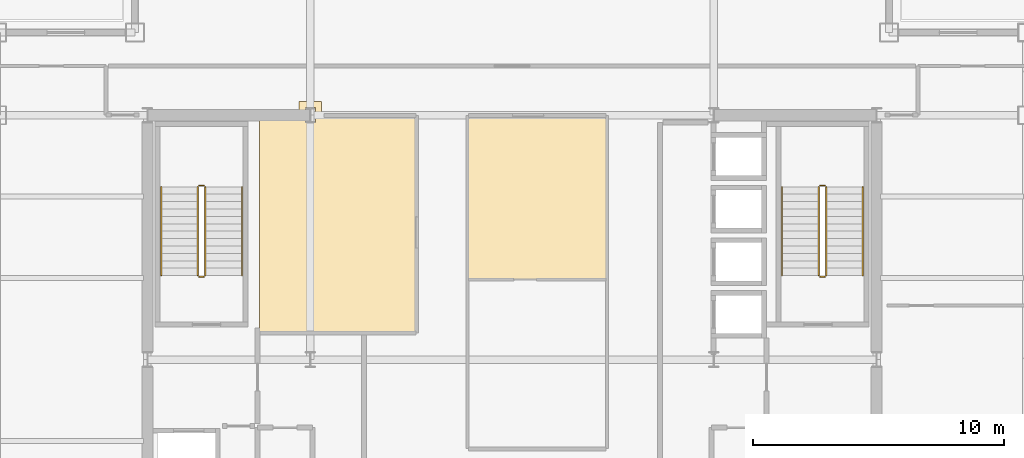
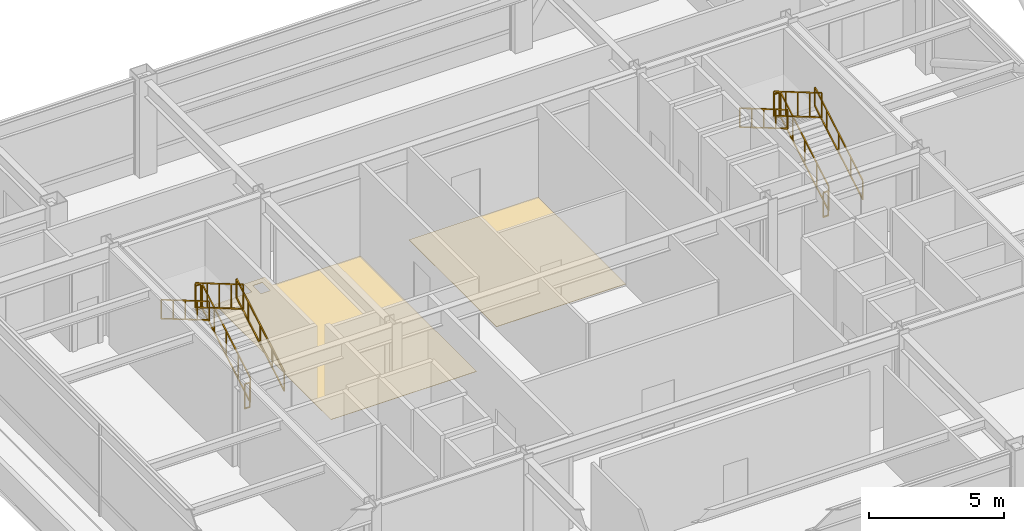
# One storey, part 24 of 24: 12 railings, 2 coverings.
"""IFC4 building model written with IfcOpenShell, lengths in metres."""

from ifc_helpers import new_model, si_unit, direction, frame, origin, origin_2d, place, context, subcontext, project, spatial, polyline, rectangle, outline, extrude, material, layer, layer_set, type_object, element, save


model = new_model("IFC4")

# Units and contexts
model_context = context("Model", 3, precision=1e-05, world=origin(), true_north=direction((0.0, 1.0)))
body_context = subcontext(model_context, "Body", "Model", "MODEL_VIEW")
ifc_project = project(units=[si_unit("LENGTHUNIT", "METRE"), si_unit("AREAUNIT", "SQUARE_METRE"), si_unit("VOLUMEUNIT", "CUBIC_METRE"), si_unit("PLANEANGLEUNIT", "RADIAN"), si_unit("MASSUNIT", "GRAM", prefix="KILO")], contexts=[model_context])

# Site, building, storey
site_placement = place(None, origin())
site = spatial("IfcSite", under=ifc_project, at=site_placement, CompositionType="ELEMENT")
building_placement = place(site_placement, origin())
building = spatial("IfcBuilding", under=site, at=building_placement, Name="Brelmoor Portico Tower", CompositionType="ELEMENT")
storey_placement = place(building_placement, frame((0.0, 0.0, 150.60009765625)))
storey = spatial("IfcBuildingStorey", under=building, at=storey_placement, Name="L39", CompositionType="ELEMENT", Elevation=150.60009765625)

# Coverings
ifc_material_1 = material(Name="Solution-Dyed Nylon Acoustic Carpet Tile", Category="textile")
ifc_layer_1 = layer(ifc_material_1, 0.013916015625)
ifc_layer_set_1 = layer_set([ifc_layer_1], Name="Solution-Dyed Nylon Acoustic Carpet Tile")
covering_type_1 = type_object("IfcCoveringType", Name="CV-FLR-CARPET-14", PredefinedType="FLOORING", material=ifc_layer_set_1)
covering_1_placement = place(storey_placement, origin())
element("IfcCovering", 1, at=covering_1_placement, inside=storey, type_object=covering_type_1, Name="L39 Architectural Floor Finish 01", PredefinedType="FLOORING", context=body_context, shape_type="SweptSolid", body=[
    extrude(outline(polyline([(-10.080078125, 9.719970703125), (-8.5, 9.719970703125), (-8.5, 10.300048828125), (-7.60009765625, 10.300048828125), (-7.60009765625, 9.719970703125), (-3.840087890625, 9.719970703125), (-3.840087890625, 1.090087890625), (-10.080078125, 1.090087890625), (-10.080078125, 9.719970703125)]), holes=[polyline([(-7.85009765625, 9.449951171875), (-7.85009765625, 10.050048828125), (-8.25, 10.050048828125), (-8.25, 9.449951171875), (-7.85009765625, 9.449951171875)])]), origin(), (0.0, 0.0, 1.0), 0.013916015625),
])
ifc_material_2 = material(Name="Rectified Vitrified Porcelain Floor Tile", Category="ceramic")
ifc_layer_2 = layer(ifc_material_2, 0.01806640625)
ifc_layer_set_2 = layer_set([ifc_layer_2], Name="Rectified Vitrified Porcelain Floor Tile")
covering_type_2 = type_object("IfcCoveringType", Name="CV-FLR-PORCELAIN-18", PredefinedType="FLOORING", material=ifc_layer_set_2)
covering_2_placement = place(storey_placement, origin())
element("IfcCovering", 2, at=covering_2_placement, inside=storey, type_object=covering_type_2, Name="L39 Architectural Floor Finish 02", PredefinedType="FLOORING", context=body_context, shape_type="SweptSolid", body=[
    extrude(outline(polyline([(-1.760009765625, 3.219970703125), (-1.760009765625, 9.719970703125), (3.780029296875, 9.719970703125), (3.780029296875, 3.219970703125), (-1.760009765625, 3.219970703125)])), origin(), (0.0, 0.0, 1.0), 0.017822265625),
])

# Railings
ifc_material_3 = material(Name="Painted Tubular Steel Q235B", Category="steel")
railing_type_1 = type_object("IfcRailingType", Name="RL-STAIR-GUARD", PredefinedType="GUARDRAIL", material=ifc_material_3)
railing_1_placement = place(storey_placement, frame((-12.239990234375, 3.35009765625, 0.173095703125)))
element("IfcRailing", 3, at=railing_1_placement, inside=storey, type_object=railing_type_1, Name="L39 ST-W stair guard 1", PredefinedType="GUARDRAIL", context=body_context, shape_type="SweptSolid", body=[
    extrude(rectangle(XDim=0.048095703125, YDim=0.048095703125, at=origin_2d()), frame((0.0, 0.0, 1.1259765625), z_axis=(0.0, 0.862501018769, 0.506055325654), x_axis=(-1.0, 0.0, 0.0)), (0.0, 0.0, 1.0), 4.10400390625),
    extrude(rectangle(XDim=0.048095703125, YDim=0.048095703125, at=origin_2d()), frame((0.0, 0.0, 0.02392578125), z_axis=(0.0, 0.862501018769, 0.506055325654), x_axis=(-1.0, 0.0, 0.0)), (0.0, 0.0, 1.0), 4.10400390625),
    extrude(rectangle(XDim=0.0419921875, YDim=0.0419921875, at=origin_2d()), origin(), (0.0, 0.0, 1.0), 1.101806640625),
    extrude(rectangle(XDim=0.0419921875, YDim=0.0419921875, at=origin_2d()), frame((0.0, 0.885009765625, 0.519287109375)), (0.0, 0.0, 1.0), 1.101806640625),
    extrude(rectangle(XDim=0.0419921875, YDim=0.0419921875, at=origin_2d()), frame((0.0, 1.77001953125, 1.03857421875)), (0.0, 0.0, 1.0), 1.101806640625),
    extrude(rectangle(XDim=0.0419921875, YDim=0.0419921875, at=origin_2d()), frame((0.0, 2.65478515625, 1.5576171875)), (0.0, 0.0, 1.0), 1.101806640625),
    extrude(rectangle(XDim=0.0419921875, YDim=0.0419921875, at=origin_2d()), frame((0.0, 3.539794921875, 2.076904296875)), (0.0, 0.0, 1.0), 1.101806640625),
])
railing_2_placement = place(storey_placement, frame((-12.2900390625, 6.93994140625, 2.25)))
element("IfcRailing", 4, at=railing_2_placement, inside=storey, type_object=railing_type_1, Name="L39 ST-W stair guard 2", PredefinedType="GUARDRAIL", context=body_context, shape_type="SweptSolid", body=[
    extrude(rectangle(XDim=0.048095703125, YDim=0.048095703125, at=origin_2d()), frame((0.0, 0.0, 1.1259765625), z_axis=(-1.0, 0.0, 0.0), x_axis=(0.0, -1.0, 0.0)), (0.0, 0.0, 1.0), 0.199951171875),
    extrude(rectangle(XDim=0.048095703125, YDim=0.048095703125, at=origin_2d()), frame((0.0, 0.0, 0.02392578125), z_axis=(-1.0, 0.0, 0.0), x_axis=(0.0, -1.0, 0.0)), (0.0, 0.0, 1.0), 0.199951171875),
    extrude(rectangle(XDim=0.0419921875, YDim=0.0419921875, at=origin_2d()), origin(), (0.0, 0.0, 1.0), 1.101806640625),
    extrude(rectangle(XDim=0.0419921875, YDim=0.0419921875, at=origin_2d()), frame((-0.199951171875, 0.0, 0.0)), (0.0, 0.0, 1.0), 1.101806640625),
])
railing_3_placement = place(storey_placement, frame((-12.5400390625, 6.889892578125, 2.423095703125)))
element("IfcRailing", 5, at=railing_3_placement, inside=storey, type_object=railing_type_1, Name="L39 ST-W stair guard 3", PredefinedType="GUARDRAIL", context=body_context, shape_type="SweptSolid", body=[
    extrude(rectangle(XDim=0.048095703125, YDim=0.048095703125, at=origin_2d()), frame((0.0, 0.0, 1.1259765625), z_axis=(0.0, -0.862501018769, 0.506055325654), x_axis=(1.0, 0.0, 0.0)), (0.0, 0.0, 1.0), 4.10400390625),
    extrude(rectangle(XDim=0.048095703125, YDim=0.048095703125, at=origin_2d()), frame((0.0, 0.0, 0.02392578125), z_axis=(0.0, -0.862501018769, 0.506055325654), x_axis=(1.0, 0.0, 0.0)), (0.0, 0.0, 1.0), 4.10400390625),
    extrude(rectangle(XDim=0.0419921875, YDim=0.0419921875, at=origin_2d()), origin(), (0.0, 0.0, 1.0), 1.101806640625),
    extrude(rectangle(XDim=0.0419921875, YDim=0.0419921875, at=origin_2d()), frame((0.0, -0.885009765625, 0.519287109375)), (0.0, 0.0, 1.0), 1.101806640625),
    extrude(rectangle(XDim=0.0419921875, YDim=0.0419921875, at=origin_2d()), frame((0.0, -1.77001953125, 1.03857421875)), (0.0, 0.0, 1.0), 1.101806640625),
    extrude(rectangle(XDim=0.0419921875, YDim=0.0419921875, at=origin_2d()), frame((0.0, -2.65478515625, 1.5576171875)), (0.0, 0.0, 1.0), 1.101806640625),
    extrude(rectangle(XDim=0.0419921875, YDim=0.0419921875, at=origin_2d()), frame((0.0, -3.539794921875, 2.076904296875)), (0.0, 0.0, 1.0), 1.101806640625),
])
railing_4_placement = place(storey_placement, frame((-12.2900390625, 3.300048828125, 0.0)))
element("IfcRailing", 6, at=railing_4_placement, inside=storey, type_object=railing_type_1, Name="L39 ST-W stair guard 4", PredefinedType="GUARDRAIL", context=body_context, shape_type="SweptSolid", body=[
    extrude(rectangle(XDim=0.048095703125, YDim=0.048095703125, at=origin_2d()), frame((0.0, 0.0, 1.1259765625), z_axis=(-1.0, 0.0, 0.0), x_axis=(0.0, -1.0, 0.0)), (0.0, 0.0, 1.0), 0.199951171875),
    extrude(rectangle(XDim=0.048095703125, YDim=0.048095703125, at=origin_2d()), frame((0.0, 0.0, 0.02392578125), z_axis=(-1.0, 0.0, 0.0), x_axis=(0.0, -1.0, 0.0)), (0.0, 0.0, 1.0), 0.199951171875),
    extrude(rectangle(XDim=0.0419921875, YDim=0.0419921875, at=origin_2d()), origin(), (0.0, 0.0, 1.0), 1.101806640625),
    extrude(rectangle(XDim=0.0419921875, YDim=0.0419921875, at=origin_2d()), frame((-0.199951171875, 0.0, 0.0)), (0.0, 0.0, 1.0), 1.101806640625),
])
railing_5_placement = place(storey_placement, frame((12.5400390625, 3.35009765625, 0.173095703125)))
element("IfcRailing", 7, at=railing_5_placement, inside=storey, type_object=railing_type_1, Name="L39 ST-E stair guard 1", PredefinedType="GUARDRAIL", context=body_context, shape_type="SweptSolid", body=[
    extrude(rectangle(XDim=0.048095703125, YDim=0.048095703125, at=origin_2d()), frame((0.0, 0.0, 1.1259765625), z_axis=(0.0, 0.862501018769, 0.506055325654), x_axis=(-1.0, 0.0, 0.0)), (0.0, 0.0, 1.0), 4.10400390625),
    extrude(rectangle(XDim=0.048095703125, YDim=0.048095703125, at=origin_2d()), frame((0.0, 0.0, 0.02392578125), z_axis=(0.0, 0.862501018769, 0.506055325654), x_axis=(-1.0, 0.0, 0.0)), (0.0, 0.0, 1.0), 4.10400390625),
    extrude(rectangle(XDim=0.0419921875, YDim=0.0419921875, at=origin_2d()), origin(), (0.0, 0.0, 1.0), 1.101806640625),
    extrude(rectangle(XDim=0.0419921875, YDim=0.0419921875, at=origin_2d()), frame((0.0, 0.885009765625, 0.519287109375)), (0.0, 0.0, 1.0), 1.101806640625),
    extrude(rectangle(XDim=0.0419921875, YDim=0.0419921875, at=origin_2d()), frame((0.0, 1.77001953125, 1.03857421875)), (0.0, 0.0, 1.0), 1.101806640625),
    extrude(rectangle(XDim=0.0419921875, YDim=0.0419921875, at=origin_2d()), frame((0.0, 2.65478515625, 1.5576171875)), (0.0, 0.0, 1.0), 1.101806640625),
    extrude(rectangle(XDim=0.0419921875, YDim=0.0419921875, at=origin_2d()), frame((0.0, 3.539794921875, 2.076904296875)), (0.0, 0.0, 1.0), 1.101806640625),
])
railing_6_placement = place(storey_placement, frame((12.489990234375, 6.93994140625, 2.25)))
element("IfcRailing", 8, at=railing_6_placement, inside=storey, type_object=railing_type_1, Name="L39 ST-E stair guard 2", PredefinedType="GUARDRAIL", context=body_context, shape_type="SweptSolid", body=[
    extrude(rectangle(XDim=0.048095703125, YDim=0.048095703125, at=origin_2d()), frame((0.0, 0.0, 1.1259765625), z_axis=(-1.0, 0.0, 0.0), x_axis=(0.0, -1.0, 0.0)), (0.0, 0.0, 1.0), 0.199951171875),
    extrude(rectangle(XDim=0.048095703125, YDim=0.048095703125, at=origin_2d()), frame((0.0, 0.0, 0.02392578125), z_axis=(-1.0, 0.0, 0.0), x_axis=(0.0, -1.0, 0.0)), (0.0, 0.0, 1.0), 0.199951171875),
    extrude(rectangle(XDim=0.0419921875, YDim=0.0419921875, at=origin_2d()), origin(), (0.0, 0.0, 1.0), 1.101806640625),
    extrude(rectangle(XDim=0.0419921875, YDim=0.0419921875, at=origin_2d()), frame((-0.199951171875, 0.0, 0.0)), (0.0, 0.0, 1.0), 1.101806640625),
])
railing_7_placement = place(storey_placement, frame((12.239990234375, 6.889892578125, 2.423095703125)))
element("IfcRailing", 9, at=railing_7_placement, inside=storey, type_object=railing_type_1, Name="L39 ST-E stair guard 3", PredefinedType="GUARDRAIL", context=body_context, shape_type="SweptSolid", body=[
    extrude(rectangle(XDim=0.048095703125, YDim=0.048095703125, at=origin_2d()), frame((0.0, 0.0, 1.1259765625), z_axis=(0.0, -0.862501018769, 0.506055325654), x_axis=(1.0, 0.0, 0.0)), (0.0, 0.0, 1.0), 4.10400390625),
    extrude(rectangle(XDim=0.048095703125, YDim=0.048095703125, at=origin_2d()), frame((0.0, 0.0, 0.02392578125), z_axis=(0.0, -0.862501018769, 0.506055325654), x_axis=(1.0, 0.0, 0.0)), (0.0, 0.0, 1.0), 4.10400390625),
    extrude(rectangle(XDim=0.0419921875, YDim=0.0419921875, at=origin_2d()), origin(), (0.0, 0.0, 1.0), 1.101806640625),
    extrude(rectangle(XDim=0.0419921875, YDim=0.0419921875, at=origin_2d()), frame((0.0, -0.885009765625, 0.519287109375)), (0.0, 0.0, 1.0), 1.101806640625),
    extrude(rectangle(XDim=0.0419921875, YDim=0.0419921875, at=origin_2d()), frame((0.0, -1.77001953125, 1.03857421875)), (0.0, 0.0, 1.0), 1.101806640625),
    extrude(rectangle(XDim=0.0419921875, YDim=0.0419921875, at=origin_2d()), frame((0.0, -2.65478515625, 1.5576171875)), (0.0, 0.0, 1.0), 1.101806640625),
    extrude(rectangle(XDim=0.0419921875, YDim=0.0419921875, at=origin_2d()), frame((0.0, -3.539794921875, 2.076904296875)), (0.0, 0.0, 1.0), 1.101806640625),
])
railing_8_placement = place(storey_placement, frame((12.489990234375, 3.300048828125, 0.0)))
element("IfcRailing", 10, at=railing_8_placement, inside=storey, type_object=railing_type_1, Name="L39 ST-E stair guard 4", PredefinedType="GUARDRAIL", context=body_context, shape_type="SweptSolid", body=[
    extrude(rectangle(XDim=0.048095703125, YDim=0.048095703125, at=origin_2d()), frame((0.0, 0.0, 1.1259765625), z_axis=(-1.0, 0.0, 0.0), x_axis=(0.0, -1.0, 0.0)), (0.0, 0.0, 1.0), 0.199951171875),
    extrude(rectangle(XDim=0.048095703125, YDim=0.048095703125, at=origin_2d()), frame((0.0, 0.0, 0.02392578125), z_axis=(-1.0, 0.0, 0.0), x_axis=(0.0, -1.0, 0.0)), (0.0, 0.0, 1.0), 0.199951171875),
    extrude(rectangle(XDim=0.0419921875, YDim=0.0419921875, at=origin_2d()), origin(), (0.0, 0.0, 1.0), 1.101806640625),
    extrude(rectangle(XDim=0.0419921875, YDim=0.0419921875, at=origin_2d()), frame((-0.199951171875, 0.0, 0.0)), (0.0, 0.0, 1.0), 1.101806640625),
])
ifc_material_4 = material(Name="Brushed Stainless Steel 304", Category="steel")
railing_type_2 = type_object("IfcRailingType", Name="RL-STAIR-HANDRAIL", PredefinedType="HANDRAIL", material=ifc_material_4)
railing_9_placement = place(storey_placement, frame((-10.780029296875, 3.35009765625, 0.173095703125)))
element("IfcRailing", 11, at=railing_9_placement, inside=storey, type_object=railing_type_2, Name="L39 ST-W stair handrail 1", PredefinedType="HANDRAIL", context=body_context, shape_type="SweptSolid", body=[
    extrude(rectangle(XDim=0.048095703125, YDim=0.048095703125, at=origin_2d()), frame((0.0, 0.0, 0.8759765625), z_axis=(0.0, 0.862501018769, 0.506055325654), x_axis=(-1.0, 0.0, 0.0)), (0.0, 0.0, 1.0), 4.10400390625),
    extrude(rectangle(XDim=0.048095703125, YDim=0.048095703125, at=origin_2d()), frame((0.0, 0.0, 0.02392578125), z_axis=(0.0, 0.862501018769, 0.506055325654), x_axis=(-1.0, 0.0, 0.0)), (0.0, 0.0, 1.0), 4.10400390625),
    extrude(rectangle(XDim=0.0419921875, YDim=0.0419921875, at=origin_2d()), origin(), (0.0, 0.0, 1.0), 0.851806640625),
    extrude(rectangle(XDim=0.0419921875, YDim=0.0419921875, at=origin_2d()), frame((0.0, 0.885009765625, 0.519287109375)), (0.0, 0.0, 1.0), 0.851806640625),
    extrude(rectangle(XDim=0.0419921875, YDim=0.0419921875, at=origin_2d()), frame((0.0, 1.77001953125, 1.03857421875)), (0.0, 0.0, 1.0), 0.851806640625),
    extrude(rectangle(XDim=0.0419921875, YDim=0.0419921875, at=origin_2d()), frame((0.0, 2.65478515625, 1.5576171875)), (0.0, 0.0, 1.0), 0.851806640625),
    extrude(rectangle(XDim=0.0419921875, YDim=0.0419921875, at=origin_2d()), frame((0.0, 3.539794921875, 2.076904296875)), (0.0, 0.0, 1.0), 0.851806640625),
])
railing_10_placement = place(storey_placement, frame((-14.0, 6.889892578125, 2.423095703125)))
element("IfcRailing", 12, at=railing_10_placement, inside=storey, type_object=railing_type_2, Name="L39 ST-W stair handrail 2", PredefinedType="HANDRAIL", context=body_context, shape_type="SweptSolid", body=[
    extrude(rectangle(XDim=0.048095703125, YDim=0.048095703125, at=origin_2d()), frame((0.0, 0.0, 0.8759765625), z_axis=(0.0, -0.862501018769, 0.506055325654), x_axis=(1.0, 0.0, 0.0)), (0.0, 0.0, 1.0), 4.10400390625),
    extrude(rectangle(XDim=0.048095703125, YDim=0.048095703125, at=origin_2d()), frame((0.0, 0.0, 0.02392578125), z_axis=(0.0, -0.862501018769, 0.506055325654), x_axis=(1.0, 0.0, 0.0)), (0.0, 0.0, 1.0), 4.10400390625),
    extrude(rectangle(XDim=0.0419921875, YDim=0.0419921875, at=origin_2d()), origin(), (0.0, 0.0, 1.0), 0.851806640625),
    extrude(rectangle(XDim=0.0419921875, YDim=0.0419921875, at=origin_2d()), frame((0.0, -0.885009765625, 0.519287109375)), (0.0, 0.0, 1.0), 0.851806640625),
    extrude(rectangle(XDim=0.0419921875, YDim=0.0419921875, at=origin_2d()), frame((0.0, -1.77001953125, 1.03857421875)), (0.0, 0.0, 1.0), 0.851806640625),
    extrude(rectangle(XDim=0.0419921875, YDim=0.0419921875, at=origin_2d()), frame((0.0, -2.65478515625, 1.5576171875)), (0.0, 0.0, 1.0), 0.851806640625),
    extrude(rectangle(XDim=0.0419921875, YDim=0.0419921875, at=origin_2d()), frame((0.0, -3.539794921875, 2.076904296875)), (0.0, 0.0, 1.0), 0.851806640625),
])
railing_11_placement = place(storey_placement, frame((14.0, 3.35009765625, 0.173095703125)))
element("IfcRailing", 13, at=railing_11_placement, inside=storey, type_object=railing_type_2, Name="L39 ST-E stair handrail 1", PredefinedType="HANDRAIL", context=body_context, shape_type="SweptSolid", body=[
    extrude(rectangle(XDim=0.048095703125, YDim=0.048095703125, at=origin_2d()), frame((0.0, 0.0, 0.8759765625), z_axis=(0.0, 0.862501018769, 0.506055325654), x_axis=(-1.0, 0.0, 0.0)), (0.0, 0.0, 1.0), 4.10400390625),
    extrude(rectangle(XDim=0.048095703125, YDim=0.048095703125, at=origin_2d()), frame((0.0, 0.0, 0.02392578125), z_axis=(0.0, 0.862501018769, 0.506055325654), x_axis=(-1.0, 0.0, 0.0)), (0.0, 0.0, 1.0), 4.10400390625),
    extrude(rectangle(XDim=0.0419921875, YDim=0.0419921875, at=origin_2d()), origin(), (0.0, 0.0, 1.0), 0.851806640625),
    extrude(rectangle(XDim=0.0419921875, YDim=0.0419921875, at=origin_2d()), frame((0.0, 0.885009765625, 0.519287109375)), (0.0, 0.0, 1.0), 0.851806640625),
    extrude(rectangle(XDim=0.0419921875, YDim=0.0419921875, at=origin_2d()), frame((0.0, 1.77001953125, 1.03857421875)), (0.0, 0.0, 1.0), 0.851806640625),
    extrude(rectangle(XDim=0.0419921875, YDim=0.0419921875, at=origin_2d()), frame((0.0, 2.65478515625, 1.5576171875)), (0.0, 0.0, 1.0), 0.851806640625),
    extrude(rectangle(XDim=0.0419921875, YDim=0.0419921875, at=origin_2d()), frame((0.0, 3.539794921875, 2.076904296875)), (0.0, 0.0, 1.0), 0.851806640625),
])
railing_12_placement = place(storey_placement, frame((10.780029296875, 6.889892578125, 2.423095703125)))
element("IfcRailing", 14, at=railing_12_placement, inside=storey, type_object=railing_type_2, Name="L39 ST-E stair handrail 2", PredefinedType="HANDRAIL", context=body_context, shape_type="SweptSolid", body=[
    extrude(rectangle(XDim=0.048095703125, YDim=0.048095703125, at=origin_2d()), frame((0.0, 0.0, 0.8759765625), z_axis=(0.0, -0.862501018769, 0.506055325654), x_axis=(1.0, 0.0, 0.0)), (0.0, 0.0, 1.0), 4.10400390625),
    extrude(rectangle(XDim=0.048095703125, YDim=0.048095703125, at=origin_2d()), frame((0.0, 0.0, 0.02392578125), z_axis=(0.0, -0.862501018769, 0.506055325654), x_axis=(1.0, 0.0, 0.0)), (0.0, 0.0, 1.0), 4.10400390625),
    extrude(rectangle(XDim=0.0419921875, YDim=0.0419921875, at=origin_2d()), origin(), (0.0, 0.0, 1.0), 0.851806640625),
    extrude(rectangle(XDim=0.0419921875, YDim=0.0419921875, at=origin_2d()), frame((0.0, -0.885009765625, 0.519287109375)), (0.0, 0.0, 1.0), 0.851806640625),
    extrude(rectangle(XDim=0.0419921875, YDim=0.0419921875, at=origin_2d()), frame((0.0, -1.77001953125, 1.03857421875)), (0.0, 0.0, 1.0), 0.851806640625),
    extrude(rectangle(XDim=0.0419921875, YDim=0.0419921875, at=origin_2d()), frame((0.0, -2.65478515625, 1.5576171875)), (0.0, 0.0, 1.0), 0.851806640625),
    extrude(rectangle(XDim=0.0419921875, YDim=0.0419921875, at=origin_2d()), frame((0.0, -3.539794921875, 2.076904296875)), (0.0, 0.0, 1.0), 0.851806640625),
])

save(model, "model.ifc")
